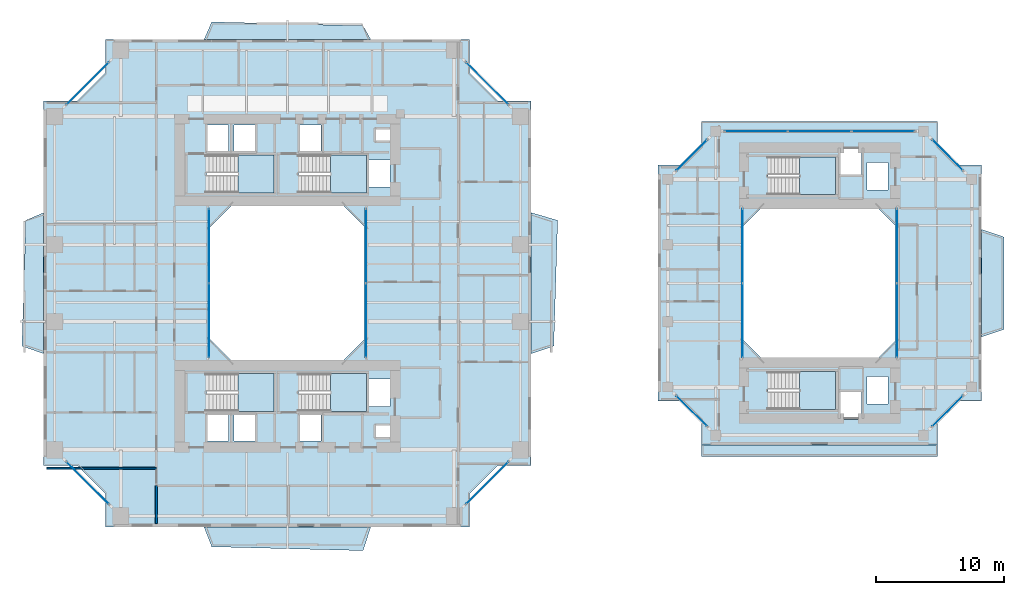
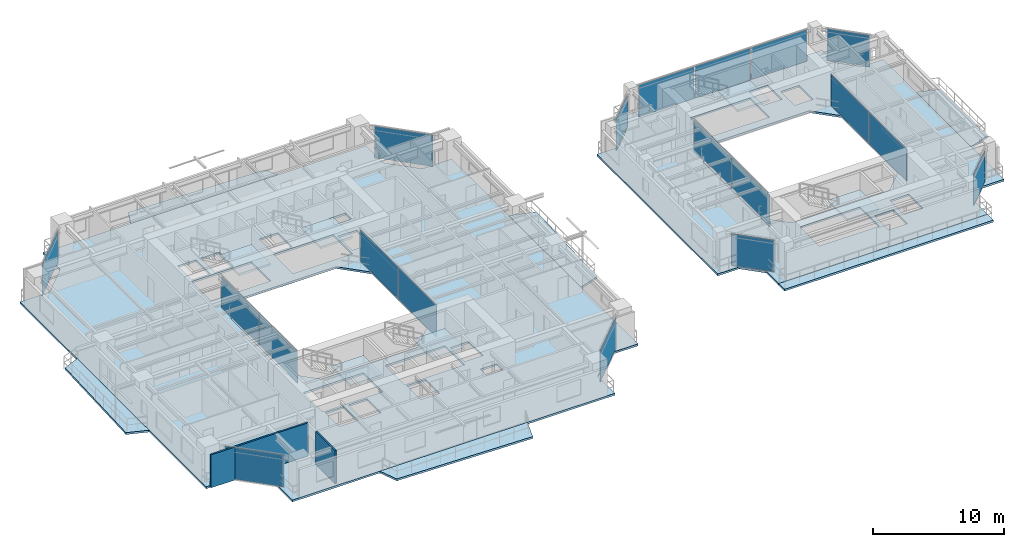
# One storey, part 11 of 24: 19 plates, 14 slabs, 2 walls, 19 elements without a shape of their own.
"""IFC4 building model written with IfcOpenShell, lengths in metres."""

from ifc_helpers import new_model, si_unit, direction, frame, frame_2d, origin, origin_2d, place, context, subcontext, project, spatial, polyline, rectangle, outline, extrude, source, transform, mapped, material, layer, layer_set, type_object, element, aggregate, save


model = new_model("IFC4")

# Units and contexts
model_context = context("Model", 3, precision=1e-05, world=origin(), true_north=direction((0.0, 1.0)))
body_context = subcontext(model_context, "Body", "Model", "MODEL_VIEW")
ifc_project = project(units=[si_unit("LENGTHUNIT", "METRE"), si_unit("AREAUNIT", "SQUARE_METRE"), si_unit("VOLUMEUNIT", "CUBIC_METRE"), si_unit("PLANEANGLEUNIT", "RADIAN"), si_unit("MASSUNIT", "GRAM", prefix="KILO"), si_unit("THERMODYNAMICTEMPERATUREUNIT", "KELVIN"), si_unit("POWERUNIT", "WATT")], contexts=[model_context])

# Site, building, storey
site_placement = place(None, origin())
site = spatial("IfcSite", under=ifc_project, at=site_placement, CompositionType="ELEMENT")
building_placement = place(site_placement, origin())
building = spatial("IfcBuilding", under=site, at=building_placement, Name="Qiaomeng Ring Towers", CompositionType="ELEMENT")
storey_placement = place(building_placement, frame((0.0, 0.0, 69.75)))
storey = spatial("IfcBuildingStorey", under=building, at=storey_placement, Name="L19", CompositionType="ELEMENT", Elevation=69.75)

# Slabs
ifc_material_1 = material(Name="Concrete C40", Category="concrete")
ifc_layer_1 = layer(ifc_material_1, 0.179931640625, Name="Concrete C40")
ifc_layer_set_1 = layer_set([ifc_layer_1], Name="Concrete C40")
slab_type_1 = type_object("IfcSlabType", Name="STR-SL-180", PredefinedType="FLOOR", material=ifc_layer_set_1)
slab_1_placement = place(storey_placement, frame((0.0, 0.0, -0.179931640625)))
element("IfcSlab", 1, at=slab_1_placement, inside=storey, type_object=slab_type_1, Name="L19 Tower 1 Annular Floor Slab", PredefinedType="FLOOR", context=body_context, shape_type="SweptSolid", body=[
    extrude(outline(polyline([(4.800048828125, 4.0), (33.199951171875, 4.0), (33.199951171875, 6.60009765625), (35.39990234375, 8.800048828125), (38.0, 8.800048828125), (38.0, 37.199951171875), (35.39990234375, 37.199951171875), (33.199951171875, 39.39990234375), (33.199951171875, 42.0), (4.800048828125, 42.0), (4.800048828125, 39.39990234375), (2.60009765625, 37.199951171875), (0.0, 37.199951171875), (0.0, 8.800048828125), (2.60009765625, 8.800048828125), (4.800048828125, 6.60009765625), (4.800048828125, 4.0)]), holes=[polyline([(12.780029296875, 10.679931640625), (12.780029296875, 12.820068359375), (14.419921875, 12.820068359375), (14.419921875, 10.679931640625), (12.780029296875, 10.679931640625)]), polyline([(14.830078125, 12.820068359375), (16.469970703125, 12.820068359375), (16.469970703125, 10.679931640625), (14.830078125, 10.679931640625), (14.830078125, 12.820068359375)]), polyline([(12.679931640625, 15.949951171875), (17.949951171875, 15.949951171875), (17.949951171875, 13.010009765625), (12.679931640625, 13.010009765625), (12.679931640625, 15.949951171875)]), polyline([(25.199951171875, 27.199951171875), (25.199951171875, 18.800048828125), (23.199951171875, 16.800048828125), (14.800048828125, 16.800048828125), (12.800048828125, 18.800048828125), (12.800048828125, 27.199951171875), (14.800048828125, 29.199951171875), (23.199951171875, 29.199951171875), (25.199951171875, 27.199951171875)]), polyline([(12.679931640625, 32.989990234375), (17.949951171875, 32.989990234375), (17.949951171875, 30.050048828125), (12.679931640625, 30.050048828125), (12.679931640625, 32.989990234375)]), polyline([(12.780029296875, 35.320068359375), (14.419921875, 35.320068359375), (14.419921875, 33.179931640625), (12.780029296875, 33.179931640625), (12.780029296875, 35.320068359375)]), polyline([(14.830078125, 35.320068359375), (16.469970703125, 35.320068359375), (16.469970703125, 33.179931640625), (14.830078125, 33.179931640625), (14.830078125, 35.320068359375)]), polyline([(19.97998046875, 35.320068359375), (21.6201171875, 35.320068359375), (21.6201171875, 33.179931640625), (19.97998046875, 33.179931640625), (19.97998046875, 35.320068359375)]), polyline([(25.919921875, 11.89990234375), (27.360107421875, 11.89990234375), (27.360107421875, 11.0), (25.919921875, 11.0), (25.919921875, 11.89990234375)]), polyline([(19.97998046875, 12.820068359375), (21.6201171875, 12.820068359375), (21.6201171875, 10.679931640625), (19.97998046875, 10.679931640625), (19.97998046875, 12.820068359375)]), polyline([(25.360107421875, 15.52001953125), (27.0, 15.52001953125), (27.0, 13.3798828125), (25.360107421875, 13.3798828125), (25.360107421875, 15.52001953125)]), polyline([(19.8798828125, 15.949951171875), (25.14990234375, 15.949951171875), (25.14990234375, 13.010009765625), (19.8798828125, 13.010009765625), (19.8798828125, 15.949951171875)]), polyline([(19.8798828125, 32.989990234375), (25.14990234375, 32.989990234375), (25.14990234375, 30.050048828125), (19.8798828125, 30.050048828125), (19.8798828125, 32.989990234375)]), polyline([(25.360107421875, 32.6201171875), (27.0, 32.6201171875), (27.0, 30.47998046875), (25.360107421875, 30.47998046875), (25.360107421875, 32.6201171875)]), polyline([(25.919921875, 35.0), (27.360107421875, 35.0), (27.360107421875, 34.10009765625), (25.919921875, 34.10009765625), (25.919921875, 35.0)])]), origin(), (0.0, 0.0, 1.0), 0.179931640625),
])
slab_2_placement = place(storey_placement, frame((0.0, 0.0, -0.179931640625)))
element("IfcSlab", 2, at=slab_2_placement, inside=storey, type_object=slab_type_1, Name="L19 Companion Tower 2 Annular Floor Slab", PredefinedType="FLOOR", context=body_context, shape_type="SweptSolid", body=[
    extrude(outline(polyline([(51.300048828125, 10.39990234375), (69.699951171875, 10.39990234375), (69.699951171875, 12.300048828125), (71.199951171875, 13.800048828125), (73.10009765625, 13.800048828125), (73.10009765625, 32.199951171875), (71.199951171875, 32.199951171875), (69.699951171875, 33.699951171875), (69.699951171875, 35.60009765625), (51.300048828125, 35.60009765625), (51.300048828125, 33.699951171875), (49.800048828125, 32.199951171875), (47.89990234375, 32.199951171875), (47.89990234375, 13.800048828125), (49.800048828125, 13.800048828125), (51.300048828125, 12.300048828125), (51.300048828125, 10.39990234375)]), holes=[polyline([(62.1298828125, 12.3798828125), (62.1298828125, 14.52001953125), (63.77001953125, 14.52001953125), (63.77001953125, 12.3798828125), (62.1298828125, 12.3798828125)]), polyline([(56.47998046875, 13.159912109375), (56.47998046875, 16.10009765625), (61.75, 16.10009765625), (61.75, 13.159912109375), (56.47998046875, 13.159912109375)]), polyline([(64.179931640625, 13.580078125), (64.179931640625, 15.719970703125), (65.820068359375, 15.719970703125), (65.820068359375, 13.580078125), (64.179931640625, 13.580078125)]), polyline([(64.800048828125, 29.10009765625), (66.60009765625, 27.300048828125), (66.60009765625, 18.699951171875), (64.800048828125, 16.89990234375), (56.199951171875, 16.89990234375), (54.39990234375, 18.699951171875), (54.39990234375, 27.300048828125), (56.199951171875, 29.10009765625), (64.800048828125, 29.10009765625)]), polyline([(64.179931640625, 30.280029296875), (64.179931640625, 32.419921875), (65.820068359375, 32.419921875), (65.820068359375, 30.280029296875), (64.179931640625, 30.280029296875)]), polyline([(56.47998046875, 32.840087890625), (61.75, 32.840087890625), (61.75, 29.89990234375), (56.47998046875, 29.89990234375), (56.47998046875, 32.840087890625)]), polyline([(62.1298828125, 33.6201171875), (63.77001953125, 33.6201171875), (63.77001953125, 31.47998046875), (62.1298828125, 31.47998046875), (62.1298828125, 33.6201171875)])]), origin(), (0.0, 0.0, 1.0), 0.179931640625),
])
ifc_layer_2 = layer(ifc_material_1, 0.179931640625, Name="Concrete C40")
ifc_layer_set_2 = layer_set([ifc_layer_2], Name="Concrete C40")
slab_type_2 = type_object("IfcSlabType", Name="STR-SL-BAL", PredefinedType="FLOOR", material=ifc_layer_set_2)
slab_3_placement = place(storey_placement, frame((0.0, 0.0, -0.179931640625)))
element("IfcSlab", 3, at=slab_3_placement, inside=storey, type_object=slab_type_2, Name="L19 Tower 1 S Faceted Balcony Slab", PredefinedType="FLOOR", context=body_context, shape_type="SweptSolid", body=[
    extrude(outline(polyline([(24.89990234375, 2.14990234375), (13.10009765625, 2.449951171875), (12.5, 4.0), (25.5, 4.0), (24.89990234375, 2.14990234375)])), origin(), (0.0, 0.0, 1.0), 0.179931640625),
])
slab_4_placement = place(storey_placement, frame((0.0, 0.0, -0.179931640625)))
element("IfcSlab", 4, at=slab_4_placement, inside=storey, type_object=slab_type_2, Name="L19 Tower 1 E Faceted Balcony Slab", PredefinedType="FLOOR", context=body_context, shape_type="SweptSolid", body=[
    extrude(outline(polyline([(40.070068359375, 27.89990234375), (39.77001953125, 18.10009765625), (38.0, 17.5), (38.0, 28.5), (40.070068359375, 27.89990234375)])), origin(), (0.0, 0.0, 1.0), 0.179931640625),
])
slab_5_placement = place(storey_placement, frame((0.0, 0.0, -0.179931640625)))
element("IfcSlab", 5, at=slab_5_placement, inside=storey, type_object=slab_type_2, Name="L19 Tower 1 N Faceted Balcony Slab", PredefinedType="FLOOR", context=body_context, shape_type="SweptSolid", body=[
    extrude(outline(polyline([(12.5, 42.0), (13.10009765625, 43.3701171875), (24.89990234375, 43.070068359375), (25.5, 42.0), (12.5, 42.0)])), origin(), (0.0, 0.0, 1.0), 0.179931640625),
])
slab_6_placement = place(storey_placement, frame((0.0, 0.0, -0.179931640625)))
element("IfcSlab", 6, at=slab_6_placement, inside=storey, type_object=slab_type_2, Name="L19 Tower 1 W Faceted Balcony Slab", PredefinedType="FLOOR", context=body_context, shape_type="SweptSolid", body=[
    extrude(outline(polyline([(0.0, 17.5), (-1.699951171875, 18.10009765625), (-1.39990234375, 27.89990234375), (0.0, 28.5), (0.0, 17.5)])), origin(), (0.0, 0.0, 1.0), 0.179931640625),
])
slab_7_placement = place(storey_placement, frame((0.0, 0.0, -0.179931640625)))
element("IfcSlab", 7, at=slab_7_placement, inside=storey, type_object=slab_type_2, Name="L19 Companion East Faceted Balcony Slab", PredefinedType="FLOOR", context=body_context, shape_type="SweptSolid", body=[
    extrude(outline(polyline([(74.8701171875, 26.60009765625), (74.8701171875, 19.39990234375), (73.10009765625, 18.800048828125), (73.10009765625, 27.199951171875), (74.8701171875, 26.60009765625)])), origin(), (0.0, 0.0, 1.0), 0.179931640625),
])

# Stair, slab
ifc_material_2 = material(Name="Precast concrete C40", Category="concrete")
stair_type = type_object("IfcStairType", Name="ARC-ST-325", PredefinedType="HALF_TURN_STAIR", material=ifc_material_2)
stair_1_placement = place(storey_placement, origin())
stair_1 = element("IfcStair", 8, at=stair_1_placement, inside=storey, type_object=stair_type, Name="L19 Tower 1 North Stair 1", PredefinedType="HALF_TURN_STAIR")
ifc_layer_3 = layer(ifc_material_1, 0.199951171875, Name="Concrete C40")
ifc_layer_set_3 = layer_set([ifc_layer_3], Name="Concrete C40")
slab_type_3 = type_object("IfcSlabType", Name="STR-SL-LANDING", PredefinedType="LANDING", material=ifc_layer_set_3)
slab_8_placement = place(storey_placement, frame((0.0, 0.0, 1.425048828125)))
slab_8 = element("IfcSlab", 9, at=slab_8_placement, type_object=slab_type_3, Name="ST1 landing 1", PredefinedType="LANDING", context=body_context, shape_type="SweptSolid", body=[
    extrude(outline(polyline([(15.139892578125, 30.050048828125), (17.949951171875, 30.050048828125), (17.949951171875, 32.989990234375), (15.139892578125, 32.989990234375), (15.139892578125, 30.050048828125)])), origin(), (0.0, 0.0, 1.0), 0.199951171875),
])
aggregate(stair_1, [slab_8])

stair_2_placement = place(storey_placement, origin())
stair_2 = element("IfcStair", 10, at=stair_2_placement, inside=storey, type_object=stair_type, Name="L19 Tower 1 North Stair 2", PredefinedType="HALF_TURN_STAIR")
slab_9_placement = place(storey_placement, frame((0.0, 0.0, 1.425048828125)))
slab_9 = element("IfcSlab", 11, at=slab_9_placement, type_object=slab_type_3, Name="ST2 landing 1", PredefinedType="LANDING", context=body_context, shape_type="SweptSolid", body=[
    extrude(outline(polyline([(22.340087890625, 30.050048828125), (25.14990234375, 30.050048828125), (25.14990234375, 32.989990234375), (22.340087890625, 32.989990234375), (22.340087890625, 30.050048828125)])), origin(), (0.0, 0.0, 1.0), 0.199951171875),
])
aggregate(stair_2, [slab_9])

stair_3_placement = place(storey_placement, origin())
stair_3 = element("IfcStair", 12, at=stair_3_placement, inside=storey, type_object=stair_type, Name="L19 Tower 1 South Stair 3", PredefinedType="HALF_TURN_STAIR")
slab_10_placement = place(storey_placement, frame((0.0, 0.0, 1.425048828125)))
slab_10 = element("IfcSlab", 13, at=slab_10_placement, type_object=slab_type_3, Name="ST3 landing 1", PredefinedType="LANDING", context=body_context, shape_type="SweptSolid", body=[
    extrude(outline(polyline([(15.139892578125, 13.010009765625), (17.949951171875, 13.010009765625), (17.949951171875, 15.949951171875), (15.139892578125, 15.949951171875), (15.139892578125, 13.010009765625)])), origin(), (0.0, 0.0, 1.0), 0.199951171875),
])
aggregate(stair_3, [slab_10])

stair_4_placement = place(storey_placement, origin())
stair_4 = element("IfcStair", 14, at=stair_4_placement, inside=storey, type_object=stair_type, Name="L19 Tower 1 South Stair 4", PredefinedType="HALF_TURN_STAIR")
slab_11_placement = place(storey_placement, frame((0.0, 0.0, 1.425048828125)))
slab_11 = element("IfcSlab", 15, at=slab_11_placement, type_object=slab_type_3, Name="ST4 landing 1", PredefinedType="LANDING", context=body_context, shape_type="SweptSolid", body=[
    extrude(outline(polyline([(22.340087890625, 13.010009765625), (25.14990234375, 13.010009765625), (25.14990234375, 15.949951171875), (22.340087890625, 15.949951171875), (22.340087890625, 13.010009765625)])), origin(), (0.0, 0.0, 1.0), 0.199951171875),
])
aggregate(stair_4, [slab_11])

stair_5_placement = place(storey_placement, origin())
stair_5 = element("IfcStair", 16, at=stair_5_placement, inside=storey, type_object=stair_type, Name="L19 Companion North Stair 5", PredefinedType="HALF_TURN_STAIR")
slab_12_placement = place(storey_placement, frame((0.0, 0.0, 1.425048828125)))
slab_12 = element("IfcSlab", 17, at=slab_12_placement, type_object=slab_type_3, Name="ST5 landing 1", PredefinedType="LANDING", context=body_context, shape_type="SweptSolid", body=[
    extrude(outline(polyline([(58.93994140625, 29.89990234375), (61.75, 29.89990234375), (61.75, 32.840087890625), (58.93994140625, 32.840087890625), (58.93994140625, 29.89990234375)])), origin(), (0.0, 0.0, 1.0), 0.199951171875),
])
aggregate(stair_5, [slab_12])

stair_6_placement = place(storey_placement, origin())
stair_6 = element("IfcStair", 18, at=stair_6_placement, inside=storey, type_object=stair_type, Name="L19 Companion South Stair 6", PredefinedType="HALF_TURN_STAIR")
slab_13_placement = place(storey_placement, frame((0.0, 0.0, 1.425048828125)))
slab_13 = element("IfcSlab", 19, at=slab_13_placement, type_object=slab_type_3, Name="ST6 landing 1", PredefinedType="LANDING", context=body_context, shape_type="SweptSolid", body=[
    extrude(outline(polyline([(58.93994140625, 13.159912109375), (61.75, 13.159912109375), (61.75, 16.10009765625), (58.93994140625, 16.10009765625), (58.93994140625, 13.159912109375)])), origin(), (0.0, 0.0, 1.0), 0.199951171875),
])
aggregate(stair_6, [slab_13])

# Slab
ifc_layer_4 = layer(ifc_material_1, 0.179931640625, Name="Concrete C40")
ifc_layer_set_4 = layer_set([ifc_layer_4], Name="Concrete C40")
slab_type_4 = type_object("IfcSlabType", Name="STR-SL-TERR180", PredefinedType="FLOOR", material=ifc_layer_set_4)
slab_14_placement = place(storey_placement, frame((0.0, 0.0, -0.179931640625)))
element("IfcSlab", 20, at=slab_14_placement, inside=storey, type_object=slab_type_4, Name="L19 Companion Setback Terrace Slab", PredefinedType="FLOOR", context=body_context, shape_type="SweptSolid", body=[
    extrude(outline(polyline([(69.699951171875, 9.5), (51.300048828125, 9.5), (51.300048828125, 10.39990234375), (69.699951171875, 10.39990234375), (69.699951171875, 9.5)])), origin(), (0.0, 0.0, 1.0), 0.179931640625),
])

# Curtain wall, plates
ifc_material_3 = material(Name="Fluorocarbon dark-grey aluminium", Category="aluminium")
ifc_layer_5 = layer(ifc_material_3, 0.139892578125, Name="Fluorocarbon dark-grey aluminium")
ifc_layer_set_5 = layer_set([ifc_layer_5], Name="Fluorocarbon dark-grey aluminium")
curtain_wall_type_1 = type_object("IfcCurtainWallType", Name="ARC-CW-4", PredefinedType="NOTDEFINED", material=ifc_layer_set_5)
curtain_wall_1_placement = place(storey_placement, origin())
curtain_wall_1 = element("IfcCurtainWall", 21, at=curtain_wall_1_placement, inside=storey, type_object=curtain_wall_type_1, Name="L19 Curtain Wall CW4", PredefinedType="NOTDEFINED")
ifc_material_4 = material(Name="Low-E dark-grey laminated double glazing", Category="glass")
ifc_layer_6 = layer(ifc_material_4, 0.028076171875, Name="Low-E dark-grey laminated double glazing")
ifc_layer_set_6 = layer_set([ifc_layer_6], Name="Low-E dark-grey laminated double glazing")
plate_type = type_object("IfcPlateType", Name="ARC-CWP-DARK", PredefinedType="CURTAIN_PANEL", material=ifc_layer_set_6)
shared_shape_1 = source(origin(), body_context, "Body", "SweptSolid", [
    extrude(rectangle(XDim=5.75244140625, YDim=0.028076171875, at=origin_2d()), origin(), (0.0, 0.0, 1.0), 2.93994140625),
])
plate_1_placement = place(storey_placement, frame((12.8798828125, 20.09130859375, 0.06494140625), z_axis=(0.0, 0.0, 1.0), x_axis=(0.0, 1.0, 0.0)))
plate_1 = element("IfcPlate", 22, at=plate_1_placement, type_object=plate_type, Name="CW4 panel 1.1", PredefinedType="CURTAIN_PANEL", context=body_context, shape_type="MappedRepresentation", body=[
    mapped(shared_shape_1, transform((0.0, 0.0, 0.0), x_axis=(1.0, 0.0, 0.0), y_axis=(0.0, 1.0, 0.0), z_axis=(0.0, 0.0, 1.0), scale=1.0)),
])
plate_2_placement = place(storey_placement, frame((12.8798828125, 25.90869140625, 0.06494140625), z_axis=(0.0, 0.0, 1.0), x_axis=(0.0, 1.0, 0.0)))
plate_2 = element("IfcPlate", 23, at=plate_2_placement, type_object=plate_type, Name="CW4 panel 2.1", PredefinedType="CURTAIN_PANEL", context=body_context, shape_type="MappedRepresentation", body=[
    mapped(shared_shape_1, transform((0.0, 0.0, 0.0), x_axis=(1.0, 0.0, 0.0), y_axis=(0.0, 1.0, 0.0), z_axis=(0.0, 0.0, 1.0), scale=1.0)),
])
aggregate(curtain_wall_1, [plate_1, plate_2])

curtain_wall_2_placement = place(storey_placement, origin())
curtain_wall_2 = element("IfcCurtainWall", 24, at=curtain_wall_2_placement, inside=storey, type_object=curtain_wall_type_1, Name="L19 Curtain Wall CW4", PredefinedType="NOTDEFINED")
plate_3_placement = place(storey_placement, frame((25.1201171875, 20.09130859375, 0.06494140625), z_axis=(0.0, 0.0, 1.0), x_axis=(0.0, 1.0, 0.0)))
plate_3 = element("IfcPlate", 25, at=plate_3_placement, type_object=plate_type, Name="CW4 panel 1.1", PredefinedType="CURTAIN_PANEL", context=body_context, shape_type="MappedRepresentation", body=[
    mapped(shared_shape_1, transform((0.0, 0.0, 0.0), x_axis=(1.0, 0.0, 0.0), y_axis=(0.0, 1.0, 0.0), z_axis=(0.0, 0.0, 1.0), scale=1.0)),
])
plate_4_placement = place(storey_placement, frame((25.1201171875, 25.90869140625, 0.06494140625), z_axis=(0.0, 0.0, 1.0), x_axis=(0.0, 1.0, 0.0)))
plate_4 = element("IfcPlate", 26, at=plate_4_placement, type_object=plate_type, Name="CW4 panel 2.1", PredefinedType="CURTAIN_PANEL", context=body_context, shape_type="MappedRepresentation", body=[
    mapped(shared_shape_1, transform((0.0, 0.0, 0.0), x_axis=(1.0, 0.0, 0.0), y_axis=(0.0, 1.0, 0.0), z_axis=(0.0, 0.0, 1.0), scale=1.0)),
])
aggregate(curtain_wall_2, [plate_3, plate_4])

curtain_wall_3_placement = place(storey_placement, origin())
curtain_wall_3 = element("IfcCurtainWall", 27, at=curtain_wall_3_placement, inside=storey, type_object=curtain_wall_type_1, Name="L19 Curtain Wall CW4", PredefinedType="NOTDEFINED")
plate_5_placement = place(storey_placement, frame((54.47998046875, 20.09130859375, 0.06494140625), z_axis=(0.0, 0.0, 1.0), x_axis=(0.0, 1.0, 0.0)))
plate_5 = element("IfcPlate", 28, at=plate_5_placement, type_object=plate_type, Name="CW4 panel 1.1", PredefinedType="CURTAIN_PANEL", context=body_context, shape_type="MappedRepresentation", body=[
    mapped(shared_shape_1, transform((0.0, 0.0, 0.0), x_axis=(1.0, 0.0, 0.0), y_axis=(0.0, 1.0, 0.0), z_axis=(0.0, 0.0, 1.0), scale=1.0)),
])
plate_6_placement = place(storey_placement, frame((54.47998046875, 25.90869140625, 0.06494140625), z_axis=(0.0, 0.0, 1.0), x_axis=(0.0, 1.0, 0.0)))
plate_6 = element("IfcPlate", 29, at=plate_6_placement, type_object=plate_type, Name="CW4 panel 2.1", PredefinedType="CURTAIN_PANEL", context=body_context, shape_type="MappedRepresentation", body=[
    mapped(shared_shape_1, transform((0.0, 0.0, 0.0), x_axis=(1.0, 0.0, 0.0), y_axis=(0.0, 1.0, 0.0), z_axis=(0.0, 0.0, 1.0), scale=1.0)),
])
aggregate(curtain_wall_3, [plate_5, plate_6])

curtain_wall_4_placement = place(storey_placement, origin())
curtain_wall_4 = element("IfcCurtainWall", 30, at=curtain_wall_4_placement, inside=storey, type_object=curtain_wall_type_1, Name="L19 Curtain Wall CW4", PredefinedType="NOTDEFINED")
plate_7_placement = place(storey_placement, frame((66.52001953125, 20.09130859375, 0.06494140625), z_axis=(0.0, 0.0, 1.0), x_axis=(0.0, 1.0, 0.0)))
plate_7 = element("IfcPlate", 31, at=plate_7_placement, type_object=plate_type, Name="CW4 panel 1.1", PredefinedType="CURTAIN_PANEL", context=body_context, shape_type="MappedRepresentation", body=[
    mapped(shared_shape_1, transform((0.0, 0.0, 0.0), x_axis=(1.0, 0.0, 0.0), y_axis=(0.0, 1.0, 0.0), z_axis=(0.0, 0.0, 1.0), scale=1.0)),
])
plate_8_placement = place(storey_placement, frame((66.52001953125, 25.90869140625, 0.06494140625), z_axis=(0.0, 0.0, 1.0), x_axis=(0.0, 1.0, 0.0)))
plate_8 = element("IfcPlate", 32, at=plate_8_placement, type_object=plate_type, Name="CW4 panel 2.1", PredefinedType="CURTAIN_PANEL", context=body_context, shape_type="MappedRepresentation", body=[
    mapped(shared_shape_1, transform((0.0, 0.0, 0.0), x_axis=(1.0, 0.0, 0.0), y_axis=(0.0, 1.0, 0.0), z_axis=(0.0, 0.0, 1.0), scale=1.0)),
])
aggregate(curtain_wall_4, [plate_7, plate_8])

# Curtain wall, plate
ifc_layer_7 = layer(ifc_material_3, 0.159912109375, Name="Fluorocarbon dark-grey aluminium")
ifc_layer_set_7 = layer_set([ifc_layer_7], Name="Fluorocarbon dark-grey aluminium")
curtain_wall_type_2 = type_object("IfcCurtainWallType", Name="ARC-CW-2", PredefinedType="NOTDEFINED", material=ifc_layer_set_7)
curtain_wall_5_placement = place(storey_placement, origin())
curtain_wall_5 = element("IfcCurtainWall", 33, at=curtain_wall_5_placement, inside=storey, type_object=curtain_wall_type_2, Name="L19 Curtain Wall CW2", PredefinedType="NOTDEFINED")
shared_shape_2 = source(origin(), body_context, "Body", "SweptSolid", [
    extrude(rectangle(XDim=4.6259765625, YDim=0.028076171875, at=origin_2d()), origin(), (0.0, 0.0, 1.0), 2.93994140625),
])
plate_9_placement = place(storey_placement, frame((34.574951171875, 7.425048828125, 0.06494140625), z_axis=(0.0, 0.0, 1.0), x_axis=(0.707106781187, 0.707106781187, 0.0)))
plate_9 = element("IfcPlate", 34, at=plate_9_placement, type_object=plate_type, Name="CW2 panel 1.1", PredefinedType="CURTAIN_PANEL", context=body_context, shape_type="MappedRepresentation", body=[
    mapped(shared_shape_2, transform((0.0, 0.0, 0.0), x_axis=(1.0, 0.0, 0.0), y_axis=(0.0, 1.0, 0.0), z_axis=(0.0, 0.0, 1.0), scale=1.0)),
])
aggregate(curtain_wall_5, [plate_9])

curtain_wall_6_placement = place(storey_placement, origin())
curtain_wall_6 = element("IfcCurtainWall", 35, at=curtain_wall_6_placement, inside=storey, type_object=curtain_wall_type_2, Name="L19 Curtain Wall CW2", PredefinedType="NOTDEFINED")
plate_10_placement = place(storey_placement, frame((34.574951171875, 38.574951171875, 0.06494140625), z_axis=(0.0, 0.0, 1.0), x_axis=(-0.707106781187, 0.707106781187, 0.0)))
plate_10 = element("IfcPlate", 36, at=plate_10_placement, type_object=plate_type, Name="CW2 panel 1.1", PredefinedType="CURTAIN_PANEL", context=body_context, shape_type="MappedRepresentation", body=[
    mapped(shared_shape_2, transform((0.0, 0.0, 0.0), x_axis=(1.0, 0.0, 0.0), y_axis=(0.0, 1.0, 0.0), z_axis=(0.0, 0.0, 1.0), scale=1.0)),
])
aggregate(curtain_wall_6, [plate_10])

curtain_wall_7_placement = place(storey_placement, origin())
curtain_wall_7 = element("IfcCurtainWall", 37, at=curtain_wall_7_placement, inside=storey, type_object=curtain_wall_type_2, Name="L19 Curtain Wall CW2", PredefinedType="NOTDEFINED")
plate_11_placement = place(storey_placement, frame((3.425048828125, 38.574951171875, 0.06494140625), z_axis=(0.0, 0.0, 1.0), x_axis=(-0.707106781187, -0.707106781187, 0.0)))
plate_11 = element("IfcPlate", 38, at=plate_11_placement, type_object=plate_type, Name="CW2 panel 1.1", PredefinedType="CURTAIN_PANEL", context=body_context, shape_type="MappedRepresentation", body=[
    mapped(shared_shape_2, transform((0.0, 0.0, 0.0), x_axis=(1.0, 0.0, 0.0), y_axis=(0.0, 1.0, 0.0), z_axis=(0.0, 0.0, 1.0), scale=1.0)),
])
aggregate(curtain_wall_7, [plate_11])

curtain_wall_8_placement = place(storey_placement, origin())
curtain_wall_8 = element("IfcCurtainWall", 39, at=curtain_wall_8_placement, inside=storey, type_object=curtain_wall_type_2, Name="L19 Curtain Wall CW2", PredefinedType="NOTDEFINED")
plate_12_placement = place(storey_placement, frame((3.425048828125, 7.425048828125, 0.06494140625), z_axis=(0.0, 0.0, 1.0), x_axis=(0.707106781187, -0.707106781187, 0.0)))
plate_12 = element("IfcPlate", 40, at=plate_12_placement, type_object=plate_type, Name="CW2 panel 1.1", PredefinedType="CURTAIN_PANEL", context=body_context, shape_type="MappedRepresentation", body=[
    mapped(shared_shape_2, transform((0.0, 0.0, 0.0), x_axis=(1.0, 0.0, 0.0), y_axis=(0.0, 1.0, 0.0), z_axis=(0.0, 0.0, 1.0), scale=1.0)),
])
aggregate(curtain_wall_8, [plate_12])

# Curtain wall, plates
ifc_layer_8 = layer(ifc_material_3, 0.14990234375, Name="Fluorocarbon dark-grey aluminium")
ifc_layer_set_8 = layer_set([ifc_layer_8], Name="Fluorocarbon dark-grey aluminium")
curtain_wall_type_3 = type_object("IfcCurtainWallType", Name="ARC-CW-5", PredefinedType="NOTDEFINED", material=ifc_layer_set_8)
curtain_wall_9_placement = place(storey_placement, origin())
curtain_wall_9 = element("IfcCurtainWall", 41, at=curtain_wall_9_placement, inside=storey, type_object=curtain_wall_type_3, Name="L19 Curtain Wall CW5", PredefinedType="NOTDEFINED")
shared_shape_3 = source(origin(), body_context, "Body", "SweptSolid", [
    extrude(rectangle(XDim=4.868408203125, YDim=0.028076171875, at=origin_2d()), origin(), (0.0, 0.0, 1.0), 2.93994140625),
])
plate_13_placement = place(storey_placement, frame((55.544189453125, 34.85009765625, 0.06494140625), z_axis=(0.0, 0.0, 1.0), x_axis=(1.0, 0.0, 0.0)))
plate_13 = element("IfcPlate", 42, at=plate_13_placement, type_object=plate_type, Name="CW5 panel 1.1", PredefinedType="CURTAIN_PANEL", context=body_context, shape_type="MappedRepresentation", body=[
    mapped(shared_shape_3, transform((0.0, 0.0, 0.0), x_axis=(1.0, 0.0, 0.0), y_axis=(0.0, 1.0, 0.0), z_axis=(0.0, 0.0, 1.0), scale=1.0)),
])
plate_14_placement = place(storey_placement, frame((65.455810546875, 34.85009765625, 0.06494140625), z_axis=(0.0, 0.0, 1.0), x_axis=(1.0, 0.0, 0.0)))
plate_14 = element("IfcPlate", 43, at=plate_14_placement, type_object=plate_type, Name="CW5 panel 3.1", PredefinedType="CURTAIN_PANEL", context=body_context, shape_type="MappedRepresentation", body=[
    mapped(shared_shape_3, transform((0.0, 0.0, 0.0), x_axis=(1.0, 0.0, 0.0), y_axis=(0.0, 1.0, 0.0), z_axis=(0.0, 0.0, 1.0), scale=1.0)),
])
shared_shape_4 = source(origin(), body_context, "Body", "SweptSolid", [
    extrude(rectangle(XDim=4.9033203125, YDim=0.028076171875, at=origin_2d()), origin(), (0.0, 0.0, 1.0), 2.93994140625),
])
plate_15_placement = place(storey_placement, frame((60.5, 34.85009765625, 0.06494140625), z_axis=(0.0, 0.0, 1.0), x_axis=(1.0, 0.0, 0.0)))
plate_15 = element("IfcPlate", 44, at=plate_15_placement, type_object=plate_type, Name="CW5 panel 2.1", PredefinedType="CURTAIN_PANEL", context=body_context, shape_type="MappedRepresentation", body=[
    mapped(shared_shape_4, transform((0.0, 0.0, 0.0), x_axis=(1.0, 0.0, 0.0), y_axis=(0.0, 1.0, 0.0), z_axis=(0.0, 0.0, 1.0), scale=1.0)),
])
aggregate(curtain_wall_9, [plate_13, plate_15, plate_14])

# Curtain wall, plate
curtain_wall_10_placement = place(storey_placement, origin())
curtain_wall_10 = element("IfcCurtainWall", 45, at=curtain_wall_10_placement, inside=storey, type_object=curtain_wall_type_3, Name="L19 Curtain Wall CW5", PredefinedType="NOTDEFINED")
shared_shape_5 = source(origin(), body_context, "Body", "SweptSolid", [
    extrude(rectangle(XDim=3.35302734375, YDim=0.028076171875, at=origin_2d()), origin(), (0.0, 0.0, 1.0), 2.93994140625),
])
plate_16_placement = place(storey_placement, frame((70.47509765625, 13.02490234375, 0.06494140625), z_axis=(0.0, 0.0, 1.0), x_axis=(0.707106781187, 0.707106781187, 0.0)))
plate_16 = element("IfcPlate", 46, at=plate_16_placement, type_object=plate_type, Name="CW5 panel 1.1", PredefinedType="CURTAIN_PANEL", context=body_context, shape_type="MappedRepresentation", body=[
    mapped(shared_shape_5, transform((0.0, 0.0, 0.0), x_axis=(1.0, 0.0, 0.0), y_axis=(0.0, 1.0, 0.0), z_axis=(0.0, 0.0, 1.0), scale=1.0)),
])
aggregate(curtain_wall_10, [plate_16])

curtain_wall_11_placement = place(storey_placement, origin())
curtain_wall_11 = element("IfcCurtainWall", 47, at=curtain_wall_11_placement, inside=storey, type_object=curtain_wall_type_3, Name="L19 Curtain Wall CW5", PredefinedType="NOTDEFINED")
plate_17_placement = place(storey_placement, frame((70.47509765625, 32.97509765625, 0.06494140625), z_axis=(0.0, 0.0, 1.0), x_axis=(-0.707106781187, 0.707106781187, 0.0)))
plate_17 = element("IfcPlate", 48, at=plate_17_placement, type_object=plate_type, Name="CW5 panel 1.1", PredefinedType="CURTAIN_PANEL", context=body_context, shape_type="MappedRepresentation", body=[
    mapped(shared_shape_5, transform((0.0, 0.0, 0.0), x_axis=(1.0, 0.0, 0.0), y_axis=(0.0, 1.0, 0.0), z_axis=(0.0, 0.0, 1.0), scale=1.0)),
])
aggregate(curtain_wall_11, [plate_17])

curtain_wall_12_placement = place(storey_placement, origin())
curtain_wall_12 = element("IfcCurtainWall", 49, at=curtain_wall_12_placement, inside=storey, type_object=curtain_wall_type_3, Name="L19 Curtain Wall CW5", PredefinedType="NOTDEFINED")
plate_18_placement = place(storey_placement, frame((50.52490234375, 32.97509765625, 0.06494140625), z_axis=(0.0, 0.0, 1.0), x_axis=(-0.707106781187, -0.707106781187, 0.0)))
plate_18 = element("IfcPlate", 50, at=plate_18_placement, type_object=plate_type, Name="CW5 panel 1.1", PredefinedType="CURTAIN_PANEL", context=body_context, shape_type="MappedRepresentation", body=[
    mapped(shared_shape_5, transform((0.0, 0.0, 0.0), x_axis=(1.0, 0.0, 0.0), y_axis=(0.0, 1.0, 0.0), z_axis=(0.0, 0.0, 1.0), scale=1.0)),
])
aggregate(curtain_wall_12, [plate_18])

curtain_wall_13_placement = place(storey_placement, origin())
curtain_wall_13 = element("IfcCurtainWall", 51, at=curtain_wall_13_placement, inside=storey, type_object=curtain_wall_type_3, Name="L19 Curtain Wall CW5", PredefinedType="NOTDEFINED")
plate_19_placement = place(storey_placement, frame((50.52490234375, 13.02490234375, 0.06494140625), z_axis=(0.0, 0.0, 1.0), x_axis=(0.707106781187, -0.707106781187, 0.0)))
plate_19 = element("IfcPlate", 52, at=plate_19_placement, type_object=plate_type, Name="CW5 panel 1.1", PredefinedType="CURTAIN_PANEL", context=body_context, shape_type="MappedRepresentation", body=[
    mapped(shared_shape_5, transform((0.0, 0.0, 0.0), x_axis=(1.0, 0.0, 0.0), y_axis=(0.0, 1.0, 0.0), z_axis=(0.0, 0.0, 1.0), scale=1.0)),
])
aggregate(curtain_wall_13, [plate_19])

# Walls
ifc_material_5 = material(Name="Gypsum fireboard steel-stud partition", Category="steel")
ifc_layer_9 = layer(ifc_material_5, 0.14990234375, Name="Gypsum fireboard steel-stud partition")
ifc_layer_set_9 = layer_set([ifc_layer_9], Name="Gypsum fireboard steel-stud partition")
wall_type = type_object("IfcWallType", Name="ARC-WL-PW3", PredefinedType="PARTITIONING", material=ifc_layer_set_9)
wall_1_placement = place(storey_placement, frame((8.780029296875, 4.25, 0.0), z_axis=(0.0, 0.0, 1.0), x_axis=(0.0, 1.0, 0.0)))
element("IfcWall", 53, at=wall_1_placement, inside=storey, type_object=wall_type, Name="L19 Interior Wall PW3", PredefinedType="PARTITIONING", context=body_context, shape_type="SweptSolid", body=[
    extrude(rectangle(XDim=2.9599609375, YDim=0.14990234375, at=frame_2d((1.47998046875, 0.0))), origin(), (0.0, 0.0, 1.0), 3.070068359375),
])
wall_2_placement = place(storey_placement, frame((0.25, 8.570068359375, 0.0), z_axis=(0.0, 0.0, 1.0), x_axis=(1.0, 0.0, 0.0)))
element("IfcWall", 54, at=wall_2_placement, inside=storey, type_object=wall_type, Name="L19 Interior Wall PW3", PredefinedType="PARTITIONING", context=body_context, shape_type="SweptSolid", body=[
    extrude(rectangle(XDim=8.530029296875, YDim=0.14990234375, at=frame_2d((4.26513671875, 0.0))), origin(), (0.0, 0.0, 1.0), 3.070068359375),
])

save(model, "model.ifc")
